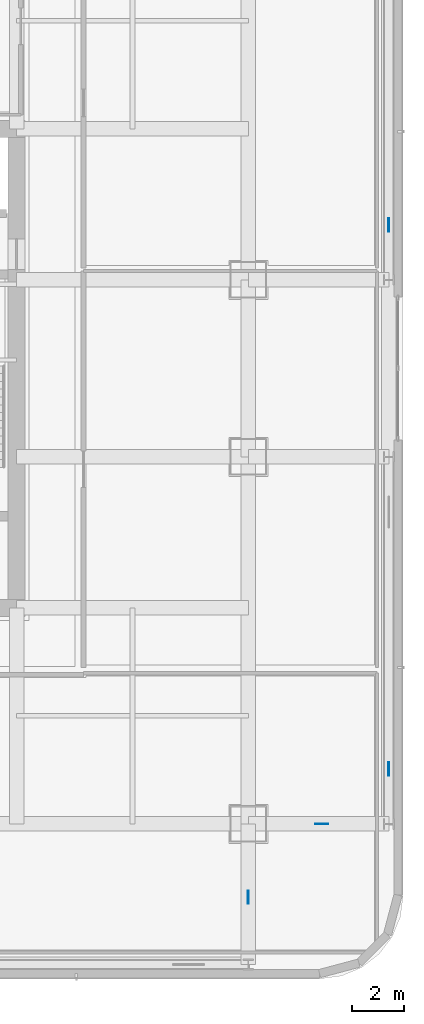
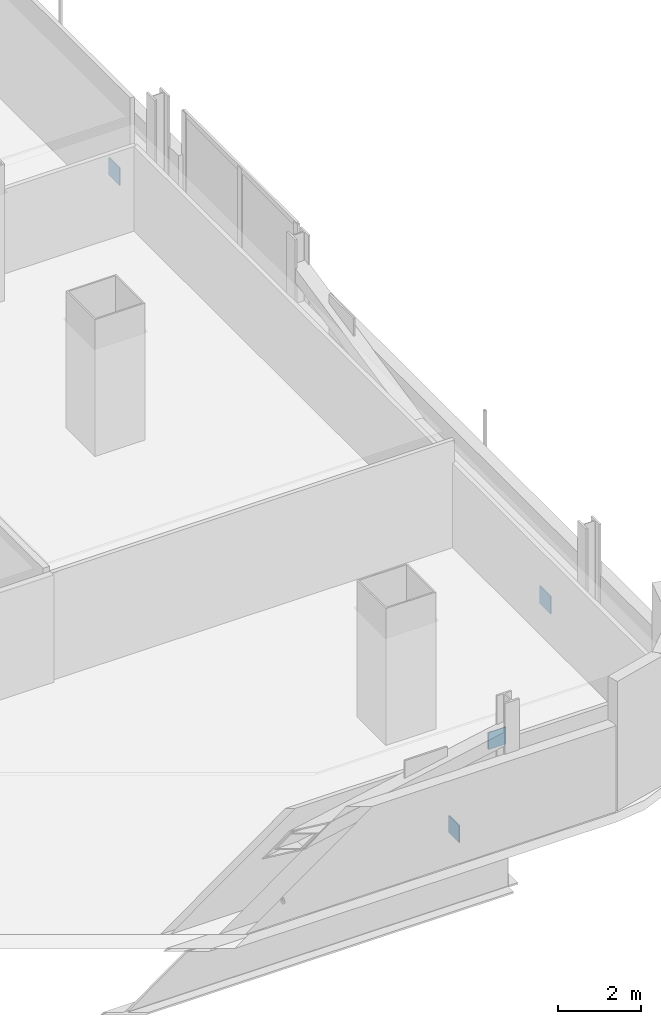
# One storey, part 9 of 27: 4 plates.
"""IFC4 building model written with IfcOpenShell, lengths in metres."""

from ifc_helpers import new_model, si_unit, direction, frame, origin, origin_2d, place, context, subcontext, project, spatial, rectangle, extrude, material, layer, layer_set, type_object, element, save


model = new_model("IFC4")

# Units and contexts
model_context = context("Model", 3, precision=1e-05, world=origin(), true_north=direction((0.0, 1.0)))
body_context = subcontext(model_context, "Body", "Model", "MODEL_VIEW")
ifc_project = project(units=[si_unit("LENGTHUNIT", "METRE"), si_unit("AREAUNIT", "SQUARE_METRE"), si_unit("VOLUMEUNIT", "CUBIC_METRE"), si_unit("PLANEANGLEUNIT", "RADIAN"), si_unit("MASSUNIT", "GRAM", prefix="KILO")], contexts=[model_context])

# Site, building, storey
site_placement = place(None, origin())
site = spatial("IfcSite", under=ifc_project, at=site_placement, CompositionType="ELEMENT")
building_placement = place(site_placement, origin())
building = spatial("IfcBuilding", under=site, at=building_placement, Name="Punatoya Terracotta Tower", CompositionType="ELEMENT")
storey_placement = place(building_placement, frame((0.0, 0.0, 204.60009765625)))
storey = spatial("IfcBuildingStorey", under=building, at=storey_placement, Name="L48", CompositionType="ELEMENT", Elevation=204.60009765625)

# Plates
ifc_material = material(Name="Steel S460", Category="steel")
ifc_layer = layer(ifc_material, 0.031982421875)
ifc_layer_set = layer_set([ifc_layer], Name="Steel S460")
plate_type = type_object("IfcPlateType", Name="PLT-END-32", PredefinedType="USERDEFINED", material=ifc_layer_set)
for number, where, z_axis, x_axis, name in (
    (1, (24.5, -15.385009765625, 0.21142578125), (0.0, 0.0, 1.0), (0.0, 1.0, 0.0), "L48 Exoskeleton Base Node Plate E1"),
    (2, (24.5, 5.514892578125, 0.21142578125), (0.0, 0.0, 1.0), (0.0, 1.0, 0.0), "L48 Exoskeleton Base Node Plate E3"),
):
    element("IfcPlate", number, at=place(storey_placement, frame(where, z_axis=z_axis, x_axis=x_axis)), inside=storey, type_object=plate_type, Name=name, ObjectType="FLANGE_PLATE", PredefinedType="USERDEFINED", context=body_context, shape_type="SweptSolid", body=[
        extrude(rectangle(XDim=0.52001953125, YDim=0.031982421875, at=origin_2d()), origin(), (0.0, 0.0, 1.0), 0.52001953125),
    ])
for number, where, z_axis, x_axis, name in (
    (3, (21.916015625, -17.5, -1.68408203125), (0.0, 0.0, 1.0), (1.0, 0.0, 0.0), "L48 Knee-Strut Upper End Cap Plate E1"),
    (4, (19.10009765625, -20.31591796875, -1.68408203125), (0.0, 0.0, 1.0), (0.0, 1.0, 0.0), "L48 Knee-Strut Upper End Cap Plate S2"),
):
    element("IfcPlate", number, at=place(storey_placement, frame(where, z_axis=z_axis, x_axis=x_axis)), inside=storey, type_object=plate_type, Name=name, ObjectType="FLANGE_PLATE", PredefinedType="USERDEFINED", context=body_context, shape_type="SweptSolid", body=[
        extrude(rectangle(XDim=0.5, YDim=0.031982421875, at=origin_2d()), origin(), (0.0, 0.0, 1.0), 0.5),
    ])

save(model, "model.ifc")
